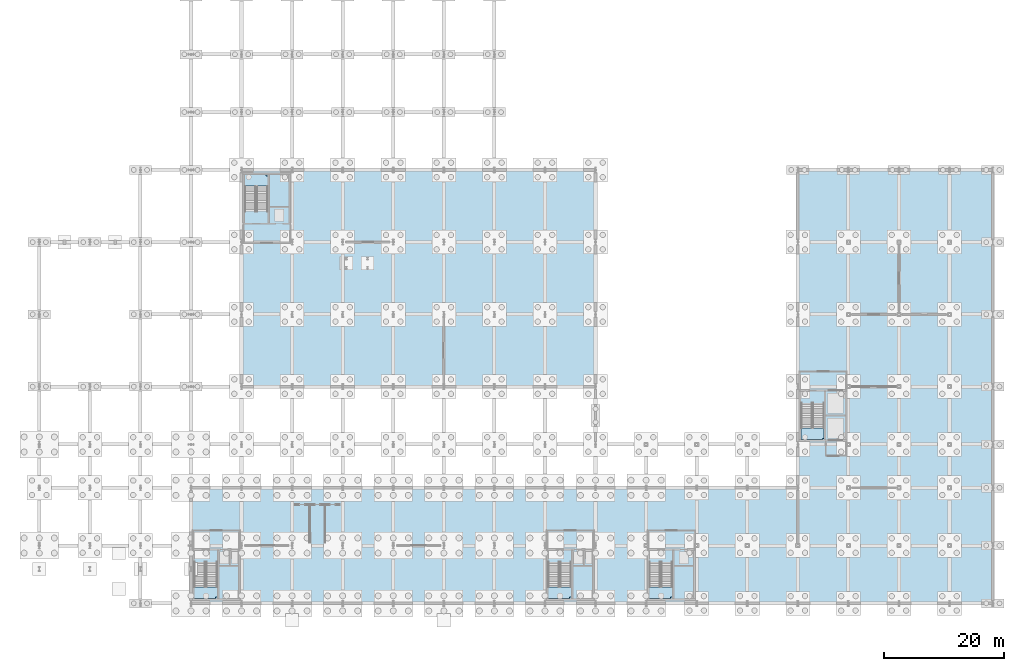
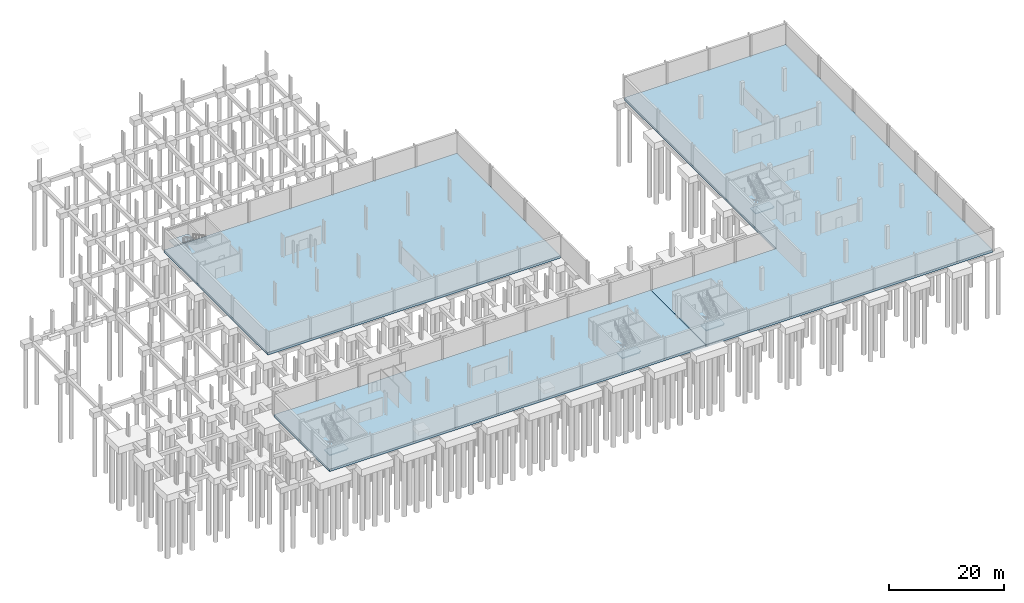
# One storey, part 15 of 29: 8 slabs, 5 elements without a shape of their own.
"""IFC4 building model written with IfcOpenShell, lengths in metres."""

from ifc_helpers import new_model, si_unit, direction, frame, origin, place, context, subcontext, project, spatial, polyline, outline, extrude, material, layer, layer_set, type_object, element, aggregate, save


model = new_model("IFC4")

# Units and contexts
model_context = context("Model", 3, precision=1e-05, world=origin(), true_north=direction((0.0, 1.0)))
body_context = subcontext(model_context, "Body", "Model", "MODEL_VIEW")
ifc_project = project(units=[si_unit("LENGTHUNIT", "METRE"), si_unit("AREAUNIT", "SQUARE_METRE"), si_unit("VOLUMEUNIT", "CUBIC_METRE"), si_unit("PLANEANGLEUNIT", "RADIAN"), si_unit("MASSUNIT", "GRAM", prefix="KILO")], contexts=[model_context])

# Site, building, storey
site_placement = place(None, origin())
site = spatial("IfcSite", under=ifc_project, at=site_placement, CompositionType="ELEMENT")
building_placement = place(site_placement, origin())
building = spatial("IfcBuilding", under=site, at=building_placement, Name="Veltarok Museum of Natural Sciences", CompositionType="ELEMENT")
storey_placement = place(building_placement, frame((0.0, 0.0, -4.800048828125)))
storey = spatial("IfcBuildingStorey", under=building, at=storey_placement, Name="B1", CompositionType="ELEMENT", Elevation=-4.800048828125)

# Stair, slab
ifc_material_1 = material(Name="Precast concrete C40/50", Category="concrete")
stair_type = type_object("IfcStairType", Name="Protected Half-Turn Escape Stair H4800", PredefinedType="HALF_TURN_STAIR", material=ifc_material_1)
stair_1_placement = place(storey_placement, origin())
stair_1 = element("IfcStair", 1, at=stair_1_placement, inside=storey, type_object=stair_type, Name="Protected Escape Stair ST-01-B1", PredefinedType="HALF_TURN_STAIR")
ifc_material_2 = material(Name="Concrete C35/45", Category="concrete")
ifc_layer_1 = layer(ifc_material_2, 0.199951171875)
ifc_layer_set_1 = layer_set([ifc_layer_1], Name="Concrete C35/45")
slab_type_1 = type_object("IfcSlabType", Name="Protected Stair Intermediate Landing Slab 200", PredefinedType="LANDING", material=ifc_layer_set_1)
slab_1_placement = place(storey_placement, frame((0.0, 0.0, 2.199951171875)))
slab_1 = element("IfcSlab", 2, at=slab_1_placement, type_object=slab_type_1, Name="ST-01-B1 landing 1", PredefinedType="LANDING", context=body_context, shape_type="SweptSolid", body=[
    extrude(outline(polyline([(32.110107421875, 0.780029296875), (35.669921875, 0.780029296875), (35.669921875, 1.02001953125), (35.989990234375, 1.02001953125), (35.989990234375, 2.699951171875), (32.110107421875, 2.699951171875), (32.110107421875, 0.780029296875)])), origin(), (0.0, 0.0, 1.0), 0.2001953125),
])
aggregate(stair_1, [slab_1])

stair_2_placement = place(storey_placement, origin())
stair_2 = element("IfcStair", 3, at=stair_2_placement, inside=storey, type_object=stair_type, Name="Protected Escape Stair ST-02-B1", PredefinedType="HALF_TURN_STAIR")
slab_2_placement = place(storey_placement, frame((0.0, 0.0, 2.199951171875)))
slab_2 = element("IfcSlab", 4, at=slab_2_placement, type_object=slab_type_1, Name="ST-02-B1 landing 1", PredefinedType="LANDING", context=body_context, shape_type="SweptSolid", body=[
    extrude(outline(polyline([(90.909912109375, 0.780029296875), (94.469970703125, 0.780029296875), (94.469970703125, 1.02001953125), (94.7900390625, 1.02001953125), (94.7900390625, 2.699951171875), (90.909912109375, 2.699951171875), (90.909912109375, 0.780029296875)])), origin(), (0.0, 0.0, 1.0), 0.2001953125),
])
aggregate(stair_2, [slab_2])

stair_3_placement = place(storey_placement, origin())
stair_3 = element("IfcStair", 5, at=stair_3_placement, inside=storey, type_object=stair_type, Name="Protected Escape Stair ST-03-B1", PredefinedType="HALF_TURN_STAIR")
slab_3_placement = place(storey_placement, frame((0.0, 0.0, 2.199951171875)))
slab_3 = element("IfcSlab", 6, at=slab_3_placement, type_object=slab_type_1, Name="ST-03-B1 landing 1", PredefinedType="LANDING", context=body_context, shape_type="SweptSolid", body=[
    extrude(outline(polyline([(40.510009765625, 69.300048828125), (44.389892578125, 69.300048828125), (44.389892578125, 70.97998046875), (44.070068359375, 70.97998046875), (44.070068359375, 71.219970703125), (40.510009765625, 71.219970703125), (40.510009765625, 69.300048828125)])), origin(), (0.0, 0.0, 1.0), 0.2001953125),
])
aggregate(stair_3, [slab_3])

stair_4_placement = place(storey_placement, origin())
stair_4 = element("IfcStair", 7, at=stair_4_placement, inside=storey, type_object=stair_type, Name="Protected Escape Stair ST-04-B1", PredefinedType="HALF_TURN_STAIR")
slab_4_placement = place(storey_placement, frame((0.0, 0.0, 2.199951171875)))
slab_4 = element("IfcSlab", 8, at=slab_4_placement, type_object=slab_type_1, Name="ST-04-B1 landing 1", PredefinedType="LANDING", context=body_context, shape_type="SweptSolid", body=[
    extrude(outline(polyline([(107.7099609375, 0.780029296875), (111.27001953125, 0.780029296875), (111.27001953125, 1.02001953125), (111.590087890625, 1.02001953125), (111.590087890625, 2.699951171875), (107.7099609375, 2.699951171875), (107.7099609375, 0.780029296875)])), origin(), (0.0, 0.0, 1.0), 0.2001953125),
])
aggregate(stair_4, [slab_4])

stair_5_placement = place(storey_placement, origin())
stair_5 = element("IfcStair", 9, at=stair_5_placement, inside=storey, type_object=stair_type, Name="Protected Escape Stair ST-05-B1", PredefinedType="HALF_TURN_STAIR")
slab_5_placement = place(storey_placement, frame((0.0, 0.0, 2.199951171875)))
slab_5 = element("IfcSlab", 10, at=slab_5_placement, type_object=slab_type_1, Name="ST-05-B1 landing 1", PredefinedType="LANDING", context=body_context, shape_type="SweptSolid", body=[
    extrude(outline(polyline([(132.909912109375, 27.179931640625), (136.469970703125, 27.179931640625), (136.469970703125, 27.419921875), (136.7900390625, 27.419921875), (136.7900390625, 29.10009765625), (132.909912109375, 29.10009765625), (132.909912109375, 27.179931640625)])), origin(), (0.0, 0.0, 1.0), 0.2001953125),
])
aggregate(stair_5, [slab_5])

# Slabs
ifc_layer_2 = layer(ifc_material_2, 0.5)
ifc_layer_set_2 = layer_set([ifc_layer_2], Name="Concrete C35/45")
slab_type_2 = type_object("IfcSlabType", Name="Tanked Basement Raft Slab 500", PredefinedType="BASESLAB", material=ifc_layer_set_2)
slab_6_placement = place(storey_placement, frame((0.0, 0.0, -0.5)))
element("IfcSlab", 11, at=slab_6_placement, inside=storey, type_object=slab_type_2, Name="Basement Raft Slab WEST 1", PredefinedType="BASESLAB", context=body_context, shape_type="SweptSolid", body=[
    extrude(outline(polyline([(107.175048828125, 19.199951171875), (107.175048828125, 0.0), (31.60009765625, 0.0), (31.60009765625, 19.199951171875), (107.175048828125, 19.199951171875)])), origin(), (0.0, 0.0, 1.0), 0.5),
])
slab_7_placement = place(storey_placement, frame((0.0, 0.0, -0.5)))
element("IfcSlab", 12, at=slab_7_placement, inside=storey, type_object=slab_type_2, Name="Basement Raft Slab WEST 2", PredefinedType="BASESLAB", context=body_context, shape_type="SweptSolid", body=[
    extrude(outline(polyline([(98.800048828125, 72.0), (98.800048828125, 36.0), (40.0, 36.0), (40.0, 72.0), (98.800048828125, 72.0)])), origin(), (0.0, 0.0, 1.0), 0.5),
])
slab_8_placement = place(storey_placement, frame((0.0, 0.0, -0.5)))
element("IfcSlab", 13, at=slab_8_placement, inside=storey, type_object=slab_type_2, Name="Basement Raft Slab EAST 3", PredefinedType="BASESLAB", context=body_context, shape_type="SweptSolid", body=[
    extrude(outline(polyline([(132.39990234375, 19.199951171875), (132.39990234375, 72.0), (164.800048828125, 72.0), (164.800048828125, 19.199951171875), (164.800048828125, 0.0), (107.22509765625, 0.0), (107.22509765625, 19.199951171875), (132.39990234375, 19.199951171875)])), origin(), (0.0, 0.0, 1.0), 0.5),
])

save(model, "model.ifc")
